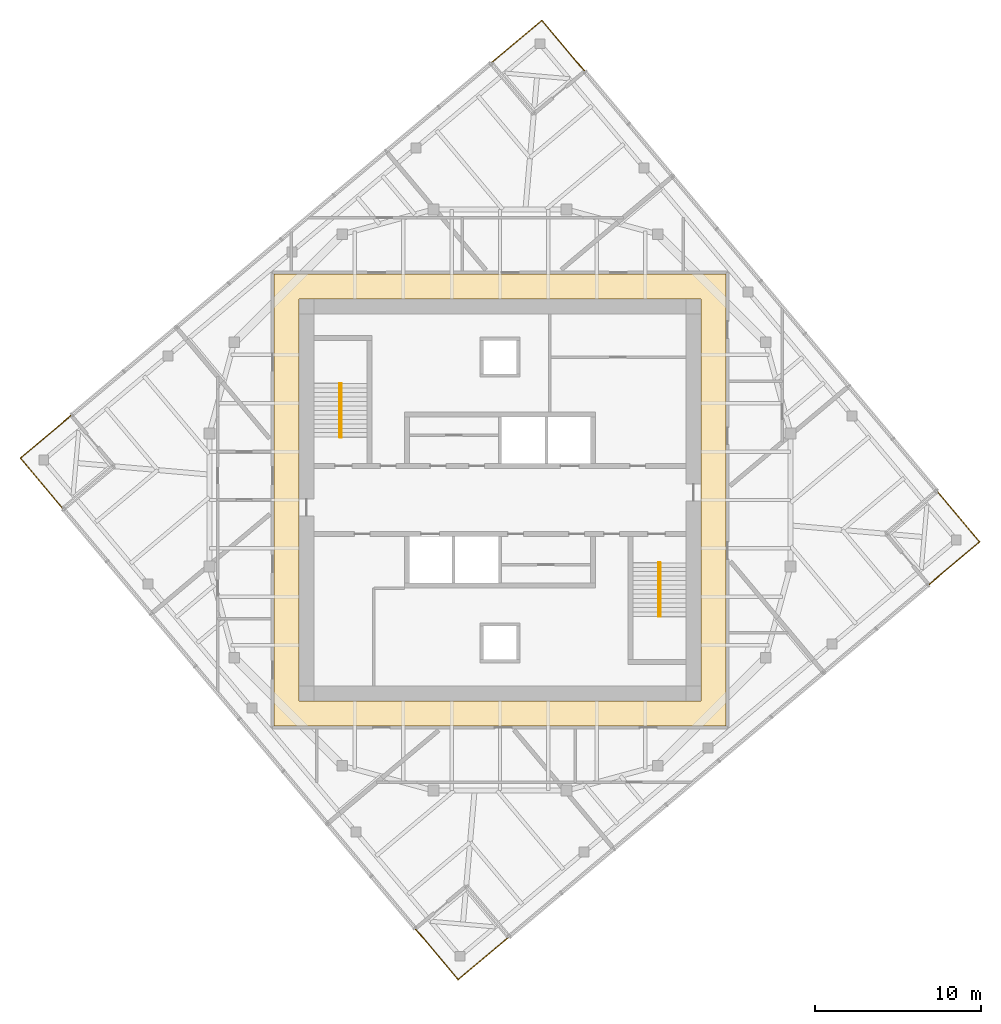
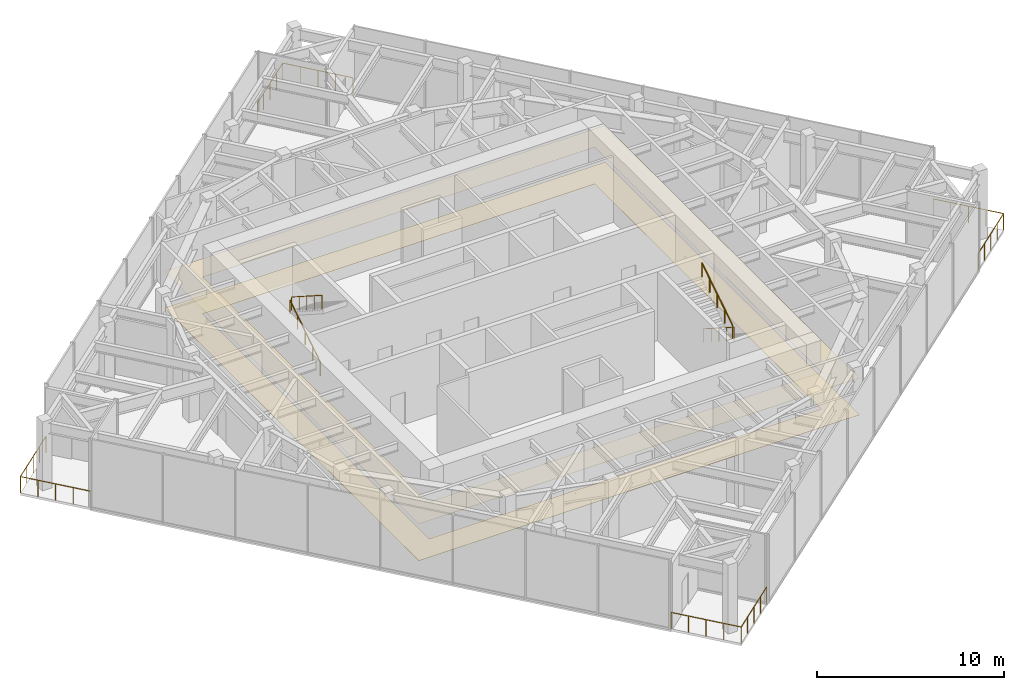
# One storey, part 11 of 11: 8 railings, 2 coverings, 2 elements without a shape of their own.
"""IFC4 building model written with IfcOpenShell, lengths in metres."""

from ifc_helpers import new_model, si_unit, direction, frame, origin, origin_2d, place, context, subcontext, project, spatial, polyline, circle, outline, extrude, material, layer, layer_set, type_object, element, aggregate, save


model = new_model("IFC4")

# Units and contexts
model_context = context("Model", 3, precision=1e-05, world=origin(), true_north=direction((0.0, 1.0)))
body_context = subcontext(model_context, "Body", "Model", "MODEL_VIEW")
ifc_project = project(units=[si_unit("LENGTHUNIT", "METRE"), si_unit("AREAUNIT", "SQUARE_METRE"), si_unit("VOLUMEUNIT", "CUBIC_METRE"), si_unit("PLANEANGLEUNIT", "RADIAN"), si_unit("MASSUNIT", "GRAM", prefix="KILO")], contexts=[model_context])

# Site, building, storey
site_placement = place(None, origin())
site = spatial("IfcSite", under=ifc_project, at=site_placement, CompositionType="ELEMENT")
building_placement = place(site_placement, origin())
building = spatial("IfcBuilding", under=site, at=building_placement, Name="Torsade Residences", CompositionType="ELEMENT")
storey_placement = place(building_placement, frame((0.0, 0.0, 299.800048828125)))
storey = spatial("IfcBuildingStorey", under=building, at=storey_placement, Name="L83", CompositionType="ELEMENT", Elevation=299.800048828125)

# Coverings
ifc_material_1 = material(Name="Nylon carpet tile on underlay", Category="textile")
ifc_layer_1 = layer(ifc_material_1, 0.010009765625)
ifc_layer_set_1 = layer_set([ifc_layer_1], Name="Nylon carpet tile on underlay")
covering_type_1 = type_object("IfcCoveringType", Name="CORRIDOR CARPET TILE 10", PredefinedType="FLOORING", material=ifc_layer_set_1)
covering_1_placement = place(storey_placement, origin())
element("IfcCovering", 1, at=covering_1_placement, inside=storey, type_object=covering_type_1, Name="Corridor carpet L83", PredefinedType="FLOORING", context=body_context, shape_type="SweptSolid", body=[
    extrude(outline(polyline([(26.39990234375, 16.39990234375), (53.60009765625, 16.39990234375), (53.60009765625, 43.60009765625), (26.39990234375, 43.60009765625), (26.39990234375, 16.39990234375)]), holes=[polyline([(27.89990234375, 42.10009765625), (27.89990234375, 17.89990234375), (52.10009765625, 17.89990234375), (52.10009765625, 42.10009765625), (27.89990234375, 42.10009765625)])]), origin(), (0.0, 0.0, 1.0), 0.010009765625),
])
ifc_material_2 = material(Name="Plasterboard on suspended steel grid", Category="steel")
ifc_layer_2 = layer(ifc_material_2, 0.012939453125)
ifc_layer_set_2 = layer_set([ifc_layer_2], Name="Plasterboard on suspended steel grid")
covering_type_2 = type_object("IfcCoveringType", Name="CORRIDOR SUSPENDED CEILING 13", PredefinedType="CEILING", material=ifc_layer_set_2)
covering_2_placement = place(storey_placement, frame((0.0, 0.0, 2.39990234375)))
element("IfcCovering", 2, at=covering_2_placement, inside=storey, type_object=covering_type_2, Name="Corridor ceiling L83", PredefinedType="CEILING", context=body_context, shape_type="SweptSolid", body=[
    extrude(outline(polyline([(26.39990234375, 16.39990234375), (53.60009765625, 16.39990234375), (53.60009765625, 43.60009765625), (26.39990234375, 43.60009765625), (26.39990234375, 16.39990234375)]), holes=[polyline([(27.89990234375, 42.10009765625), (27.89990234375, 17.89990234375), (52.10009765625, 17.89990234375), (52.10009765625, 42.10009765625), (27.89990234375, 42.10009765625)])]), origin(), (0.0, 0.0, 1.0), 0.012939453125),
])

# Stair, railings
ifc_material_3 = material(Name="Precast concrete 40 MPa", Category="concrete")
stair_type = type_object("IfcStairType", Name="HALF-TURN FIRE STAIR 1500x4500", PredefinedType="HALF_TURN_STAIR", material=ifc_material_3)
stair_1_placement = place(storey_placement, origin())
stair_1 = element("IfcStair", 3, at=stair_1_placement, inside=storey, type_object=stair_type, Name="Stair ST1 L83", PredefinedType="HALF_TURN_STAIR")
ifc_material_4 = material(Name="Steel handrail", Category="steel")
railing_type_1 = type_object("IfcRailingType", Name="STAIR HANDRAIL 900", PredefinedType="HANDRAIL", material=ifc_material_4)
railing_1_placement = place(storey_placement, frame((30.35009765625, 33.780029296875, 0.173095703125)))
railing_1 = element("IfcRailing", 4, at=railing_1_placement, type_object=railing_type_1, Name="Handrail ST1 flight 1 L83", PredefinedType="HANDRAIL", context=body_context, shape_type="SweptSolid", body=[
    extrude(circle(Radius=0.02392578125, at=origin_2d()), frame((0.0, 0.0, 0.8759765625), z_axis=(0.0, 0.841880617004, 0.539663808971), x_axis=(-1.0, 0.0, 0.0)), (0.0, 0.0, 1.0), 3.8486328125),
    extrude(circle(Radius=0.02099609375, at=origin_2d()), origin(), (0.0, 0.0, 1.0), 0.851806640625),
    extrude(circle(Radius=0.02099609375, at=origin_2d()), frame((0.0, 0.81005859375, 0.519287109375)), (0.0, 0.0, 1.0), 0.851806640625),
    extrude(circle(Radius=0.02099609375, at=origin_2d()), frame((0.0, 1.6201171875, 1.03857421875)), (0.0, 0.0, 1.0), 0.851806640625),
    extrude(circle(Radius=0.02099609375, at=origin_2d()), frame((0.0, 2.429931640625, 1.5576171875)), (0.0, 0.0, 1.0), 0.851806640625),
    extrude(circle(Radius=0.02099609375, at=origin_2d()), frame((0.0, 3.239990234375, 2.076904296875)), (0.0, 0.0, 1.0), 0.851806640625),
])
railing_2_placement = place(storey_placement, frame((30.449951171875, 37.02001953125, 2.423095703125)))
railing_2 = element("IfcRailing", 5, at=railing_2_placement, type_object=railing_type_1, Name="Handrail ST1 flight 2 L83", PredefinedType="HANDRAIL", context=body_context, shape_type="SweptSolid", body=[
    extrude(circle(Radius=0.02392578125, at=origin_2d()), frame((0.0, 0.0, 0.8759765625), z_axis=(0.0, -0.841880617004, 0.539663808971), x_axis=(1.0, 0.0, 0.0)), (0.0, 0.0, 1.0), 3.8486328125),
    extrude(circle(Radius=0.02099609375, at=origin_2d()), origin(), (0.0, 0.0, 1.0), 0.851806640625),
    extrude(circle(Radius=0.02099609375, at=origin_2d()), frame((0.0, -0.81005859375, 0.519287109375)), (0.0, 0.0, 1.0), 0.851806640625),
    extrude(circle(Radius=0.02099609375, at=origin_2d()), frame((0.0, -1.6201171875, 1.03857421875)), (0.0, 0.0, 1.0), 0.851806640625),
    extrude(circle(Radius=0.02099609375, at=origin_2d()), frame((0.0, -2.429931640625, 1.5576171875)), (0.0, 0.0, 1.0), 0.851806640625),
    extrude(circle(Radius=0.02099609375, at=origin_2d()), frame((0.0, -3.239990234375, 2.076904296875)), (0.0, 0.0, 1.0), 0.851806640625),
])
aggregate(stair_1, [railing_1, railing_2])

stair_2_placement = place(storey_placement, origin())
stair_2 = element("IfcStair", 6, at=stair_2_placement, inside=storey, type_object=stair_type, Name="Stair ST2 L83", PredefinedType="HALF_TURN_STAIR")
railing_3_placement = place(storey_placement, frame((49.64990234375, 26.219970703125, 0.173095703125)))
railing_3 = element("IfcRailing", 7, at=railing_3_placement, type_object=railing_type_1, Name="Handrail ST2 flight 1 L83", PredefinedType="HANDRAIL", context=body_context, shape_type="SweptSolid", body=[
    extrude(circle(Radius=0.02392578125, at=origin_2d()), frame((0.0, 0.0, 0.8759765625), z_axis=(0.0, -0.841880617004, 0.539663808971), x_axis=(1.0, 0.0, 0.0)), (0.0, 0.0, 1.0), 3.8486328125),
    extrude(circle(Radius=0.02099609375, at=origin_2d()), origin(), (0.0, 0.0, 1.0), 0.851806640625),
    extrude(circle(Radius=0.02099609375, at=origin_2d()), frame((0.0, -0.81005859375, 0.519287109375)), (0.0, 0.0, 1.0), 0.851806640625),
    extrude(circle(Radius=0.02099609375, at=origin_2d()), frame((0.0, -1.6201171875, 1.03857421875)), (0.0, 0.0, 1.0), 0.851806640625),
    extrude(circle(Radius=0.02099609375, at=origin_2d()), frame((0.0, -2.429931640625, 1.5576171875)), (0.0, 0.0, 1.0), 0.851806640625),
    extrude(circle(Radius=0.02099609375, at=origin_2d()), frame((0.0, -3.239990234375, 2.076904296875)), (0.0, 0.0, 1.0), 0.851806640625),
])
railing_4_placement = place(storey_placement, frame((49.550048828125, 22.97998046875, 2.423095703125)))
railing_4 = element("IfcRailing", 8, at=railing_4_placement, type_object=railing_type_1, Name="Handrail ST2 flight 2 L83", PredefinedType="HANDRAIL", context=body_context, shape_type="SweptSolid", body=[
    extrude(circle(Radius=0.02392578125, at=origin_2d()), frame((0.0, 0.0, 0.8759765625), z_axis=(0.0, 0.841880617004, 0.539663808971), x_axis=(-1.0, 0.0, 0.0)), (0.0, 0.0, 1.0), 3.8486328125),
    extrude(circle(Radius=0.02099609375, at=origin_2d()), origin(), (0.0, 0.0, 1.0), 0.851806640625),
    extrude(circle(Radius=0.02099609375, at=origin_2d()), frame((0.0, 0.81005859375, 0.519287109375)), (0.0, 0.0, 1.0), 0.851806640625),
    extrude(circle(Radius=0.02099609375, at=origin_2d()), frame((0.0, 1.6201171875, 1.03857421875)), (0.0, 0.0, 1.0), 0.851806640625),
    extrude(circle(Radius=0.02099609375, at=origin_2d()), frame((0.0, 2.429931640625, 1.5576171875)), (0.0, 0.0, 1.0), 0.851806640625),
    extrude(circle(Radius=0.02099609375, at=origin_2d()), frame((0.0, 3.239990234375, 2.076904296875)), (0.0, 0.0, 1.0), 0.851806640625),
])
aggregate(stair_2, [railing_3, railing_4])

# Railings
ifc_material_5 = material(Name="Laminated glass balustrade", Category="glass")
railing_type_2 = type_object("IfcRailingType", Name="TERRACE GLASS BALUSTRADE 1100", PredefinedType="BALUSTRADE", material=ifc_material_5)
railing_5_placement = place(storey_placement, frame((65.81689453125, 24.902099609375, 0.0)))
element("IfcRailing", 9, at=railing_5_placement, inside=storey, type_object=railing_type_2, Name="Terrace balustrade SE L83", PredefinedType="BALUSTRADE", context=body_context, shape_type="SweptSolid", body=[
    extrude(circle(Radius=0.02392578125, at=origin_2d()), frame((0.0, 0.0, 1.076171875), z_axis=(0.766060656284, 0.642768287094, 0.0), x_axis=(-0.642768287094, 0.766060656284, 0.0)), (0.0, 0.0, 1.0), 4.0),
    extrude(circle(Radius=0.02392578125, at=origin_2d()), frame((3.064208984375, 2.571044921875, 1.076171875), z_axis=(-0.642804103796, 0.766030602615, 0.0), x_axis=(-0.766030602615, -0.642804103796, 0.0)), (0.0, 0.0, 1.0), 4.0),
    extrude(circle(Radius=0.02099609375, at=origin_2d()), origin(), (0.0, 0.0, 1.0), 1.052001953125),
    extrude(circle(Radius=0.02099609375, at=origin_2d()), frame((0.76611328125, 0.642822265625, 0.0)), (0.0, 0.0, 1.0), 1.052001953125),
    extrude(circle(Radius=0.02099609375, at=origin_2d()), frame((1.5322265625, 1.28564453125, 0.0)), (0.0, 0.0, 1.0), 1.052001953125),
    extrude(circle(Radius=0.02099609375, at=origin_2d()), frame((2.298095703125, 1.92822265625, 0.0)), (0.0, 0.0, 1.0), 1.052001953125),
    extrude(circle(Radius=0.02099609375, at=origin_2d()), frame((3.064208984375, 2.571044921875, 0.0)), (0.0, 0.0, 1.0), 1.052001953125),
    extrude(circle(Radius=0.02099609375, at=origin_2d()), frame((2.42138671875, 3.337158203125, 0.0)), (0.0, 0.0, 1.0), 1.052001953125),
    extrude(circle(Radius=0.02099609375, at=origin_2d()), frame((1.778564453125, 4.10302734375, 0.0)), (0.0, 0.0, 1.0), 1.052001953125),
    extrude(circle(Radius=0.02099609375, at=origin_2d()), frame((1.1357421875, 4.869140625, 0.0)), (0.0, 0.0, 1.0), 1.052001953125),
    extrude(circle(Radius=0.02099609375, at=origin_2d()), frame((0.492919921875, 5.63525390625, 0.0)), (0.0, 0.0, 1.0), 1.052001953125),
])
railing_6_placement = place(storey_placement, frame((45.097900390625, 55.81689453125, 0.0)))
element("IfcRailing", 10, at=railing_6_placement, inside=storey, type_object=railing_type_2, Name="Terrace balustrade NE L83", PredefinedType="BALUSTRADE", context=body_context, shape_type="SweptSolid", body=[
    extrude(circle(Radius=0.02392578125, at=origin_2d()), frame((0.0, 0.0, 1.076171875), z_axis=(-0.642768287094, 0.766060656284, 0.0), x_axis=(-0.766060656284, -0.642768287094, 0.0)), (0.0, 0.0, 1.0), 4.0),
    extrude(circle(Radius=0.02392578125, at=origin_2d()), frame((-2.571044921875, 3.064208984375, 1.076171875), z_axis=(-0.766030602615, -0.642804103796, 0.0), x_axis=(0.642804103796, -0.766030602615, 0.0)), (0.0, 0.0, 1.0), 4.0),
    extrude(circle(Radius=0.02099609375, at=origin_2d()), origin(), (0.0, 0.0, 1.0), 1.052001953125),
    extrude(circle(Radius=0.02099609375, at=origin_2d()), frame((-0.642822265625, 0.76611328125, 0.0)), (0.0, 0.0, 1.0), 1.052001953125),
    extrude(circle(Radius=0.02099609375, at=origin_2d()), frame((-1.28564453125, 1.5322265625, 0.0)), (0.0, 0.0, 1.0), 1.052001953125),
    extrude(circle(Radius=0.02099609375, at=origin_2d()), frame((-1.92822265625, 2.298095703125, 0.0)), (0.0, 0.0, 1.0), 1.052001953125),
    extrude(circle(Radius=0.02099609375, at=origin_2d()), frame((-2.571044921875, 3.064208984375, 0.0)), (0.0, 0.0, 1.0), 1.052001953125),
    extrude(circle(Radius=0.02099609375, at=origin_2d()), frame((-3.337158203125, 2.42138671875, 0.0)), (0.0, 0.0, 1.0), 1.052001953125),
    extrude(circle(Radius=0.02099609375, at=origin_2d()), frame((-4.10302734375, 1.778564453125, 0.0)), (0.0, 0.0, 1.0), 1.052001953125),
    extrude(circle(Radius=0.02099609375, at=origin_2d()), frame((-4.869140625, 1.1357421875, 0.0)), (0.0, 0.0, 1.0), 1.052001953125),
    extrude(circle(Radius=0.02099609375, at=origin_2d()), frame((-5.63525390625, 0.492919921875, 0.0)), (0.0, 0.0, 1.0), 1.052001953125),
])
railing_7_placement = place(storey_placement, frame((14.18310546875, 35.097900390625, 0.0)))
element("IfcRailing", 11, at=railing_7_placement, inside=storey, type_object=railing_type_2, Name="Terrace balustrade NW L83", PredefinedType="BALUSTRADE", context=body_context, shape_type="SweptSolid", body=[
    extrude(circle(Radius=0.02392578125, at=origin_2d()), frame((0.0, 0.0, 1.076171875), z_axis=(-0.766060656284, -0.642768287094, 0.0), x_axis=(0.642768287094, -0.766060656284, 0.0)), (0.0, 0.0, 1.0), 4.0),
    extrude(circle(Radius=0.02392578125, at=origin_2d()), frame((-3.064208984375, -2.571044921875, 1.076171875), z_axis=(0.642804103796, -0.766030602615, 0.0), x_axis=(0.766030602615, 0.642804103796, 0.0)), (0.0, 0.0, 1.0), 4.0),
    extrude(circle(Radius=0.02099609375, at=origin_2d()), origin(), (0.0, 0.0, 1.0), 1.052001953125),
    extrude(circle(Radius=0.02099609375, at=origin_2d()), frame((-0.76611328125, -0.642822265625, 0.0)), (0.0, 0.0, 1.0), 1.052001953125),
    extrude(circle(Radius=0.02099609375, at=origin_2d()), frame((-1.5322265625, -1.28564453125, 0.0)), (0.0, 0.0, 1.0), 1.052001953125),
    extrude(circle(Radius=0.02099609375, at=origin_2d()), frame((-2.298095703125, -1.92822265625, 0.0)), (0.0, 0.0, 1.0), 1.052001953125),
    extrude(circle(Radius=0.02099609375, at=origin_2d()), frame((-3.064208984375, -2.571044921875, 0.0)), (0.0, 0.0, 1.0), 1.052001953125),
    extrude(circle(Radius=0.02099609375, at=origin_2d()), frame((-2.42138671875, -3.337158203125, 0.0)), (0.0, 0.0, 1.0), 1.052001953125),
    extrude(circle(Radius=0.02099609375, at=origin_2d()), frame((-1.778564453125, -4.10302734375, 0.0)), (0.0, 0.0, 1.0), 1.052001953125),
    extrude(circle(Radius=0.02099609375, at=origin_2d()), frame((-1.1357421875, -4.869140625, 0.0)), (0.0, 0.0, 1.0), 1.052001953125),
    extrude(circle(Radius=0.02099609375, at=origin_2d()), frame((-0.492919921875, -5.63525390625, 0.0)), (0.0, 0.0, 1.0), 1.052001953125),
])
railing_8_placement = place(storey_placement, frame((34.902099609375, 4.18310546875, 0.0)))
element("IfcRailing", 12, at=railing_8_placement, inside=storey, type_object=railing_type_2, Name="Terrace balustrade SW L83", PredefinedType="BALUSTRADE", context=body_context, shape_type="SweptSolid", body=[
    extrude(circle(Radius=0.02392578125, at=origin_2d()), frame((0.0, 0.0, 1.076171875), z_axis=(0.642768287094, -0.766060656284, 0.0), x_axis=(0.766060656284, 0.642768287094, 0.0)), (0.0, 0.0, 1.0), 4.0),
    extrude(circle(Radius=0.02392578125, at=origin_2d()), frame((2.571044921875, -3.064208984375, 1.076171875), z_axis=(0.766030602615, 0.642804103796, 0.0), x_axis=(-0.642804103796, 0.766030602615, 0.0)), (0.0, 0.0, 1.0), 4.0),
    extrude(circle(Radius=0.02099609375, at=origin_2d()), origin(), (0.0, 0.0, 1.0), 1.052001953125),
    extrude(circle(Radius=0.02099609375, at=origin_2d()), frame((0.642822265625, -0.76611328125, 0.0)), (0.0, 0.0, 1.0), 1.052001953125),
    extrude(circle(Radius=0.02099609375, at=origin_2d()), frame((1.28564453125, -1.5322265625, 0.0)), (0.0, 0.0, 1.0), 1.052001953125),
    extrude(circle(Radius=0.02099609375, at=origin_2d()), frame((1.92822265625, -2.298095703125, 0.0)), (0.0, 0.0, 1.0), 1.052001953125),
    extrude(circle(Radius=0.02099609375, at=origin_2d()), frame((2.571044921875, -3.064208984375, 0.0)), (0.0, 0.0, 1.0), 1.052001953125),
    extrude(circle(Radius=0.02099609375, at=origin_2d()), frame((3.337158203125, -2.42138671875, 0.0)), (0.0, 0.0, 1.0), 1.052001953125),
    extrude(circle(Radius=0.02099609375, at=origin_2d()), frame((4.10302734375, -1.778564453125, 0.0)), (0.0, 0.0, 1.0), 1.052001953125),
    extrude(circle(Radius=0.02099609375, at=origin_2d()), frame((4.869140625, -1.1357421875, 0.0)), (0.0, 0.0, 1.0), 1.052001953125),
    extrude(circle(Radius=0.02099609375, at=origin_2d()), frame((5.63525390625, -0.492919921875, 0.0)), (0.0, 0.0, 1.0), 1.052001953125),
])

save(model, "model.ifc")
